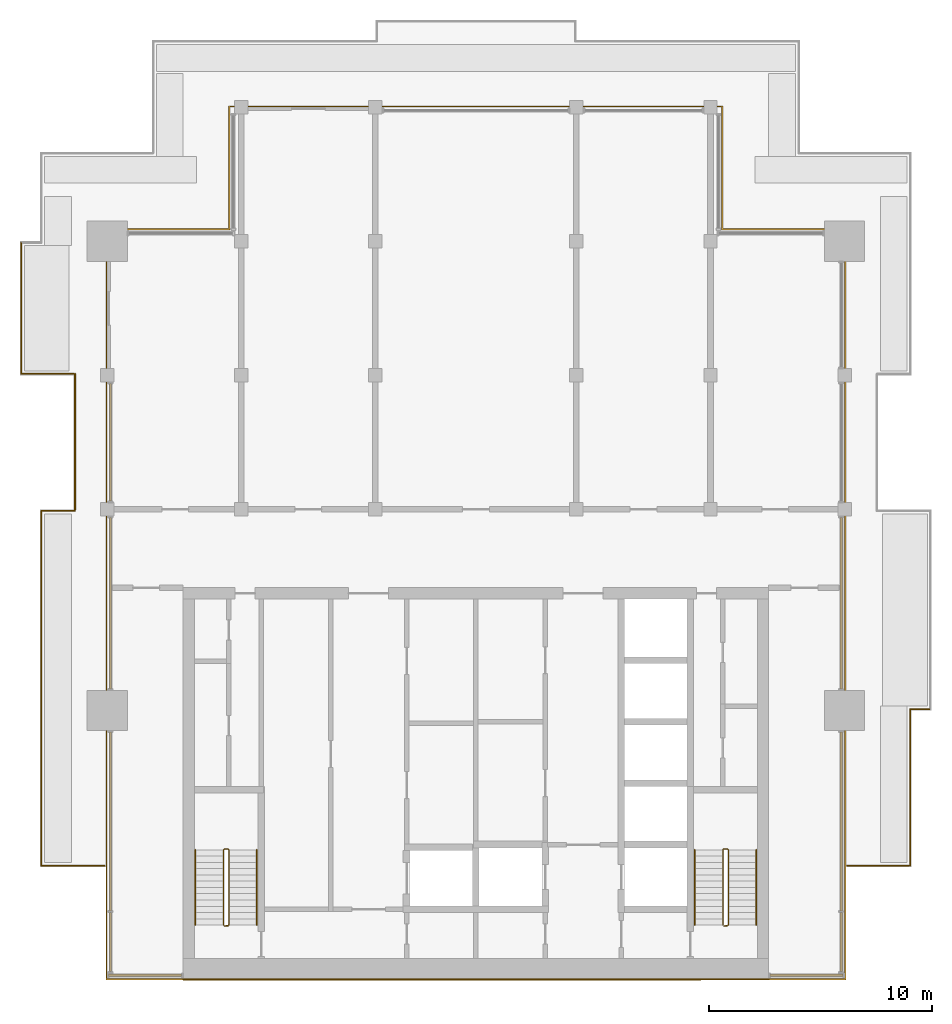
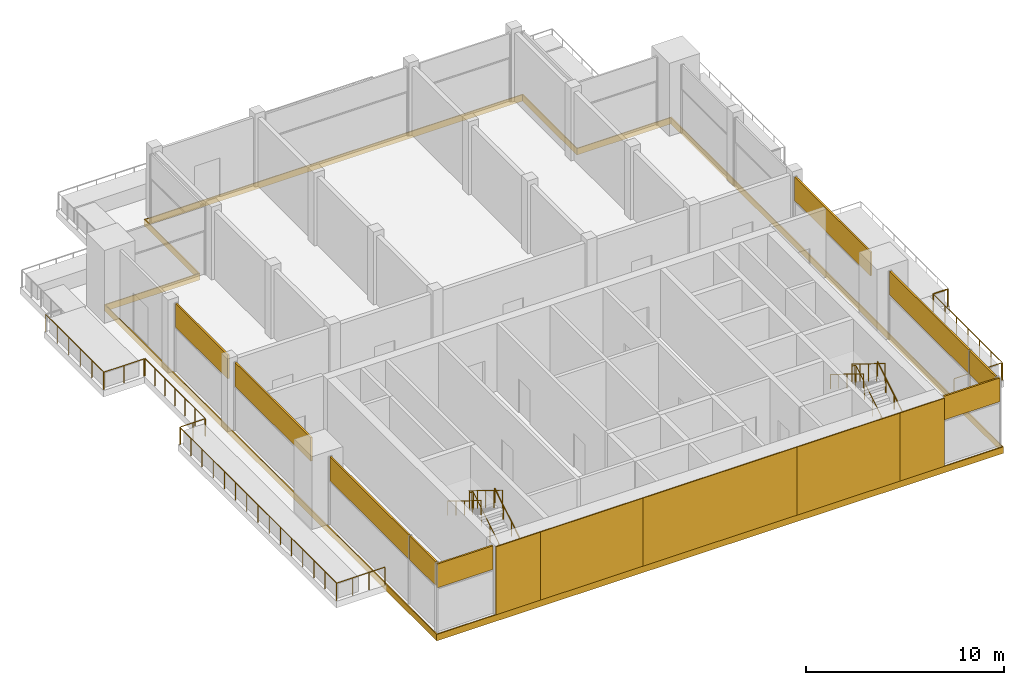
# One storey, part 8 of 9: 15 railings, 9 shading devices, 6 coverings, 7 elements without a shape of their own.
"""IFC4 building model written with IfcOpenShell, lengths in metres."""

import ifcopenshell
import ifcopenshell.guid

model = None  # the IFC model being written
_history = None  # IfcOwnerHistory: only IFC2X3 demands one
_inside = {}  # id of a spatial element -> (the spatial element, [elements in it])
_under = {}  # id of a project, library or spatial element -> (it, [spatial elements below it])
_declared = {}  # id of a project -> (the project, [libraries it declares])
_typed = {}  # id of a type object -> (the type object, [elements of that type])
_made_of = {}  # id of a material, layer set ... -> (it, [elements and type objects made of it])


def new_model(schema):
    """Start an empty IFC model of exactly this schema.

    Asked for "IFC4X3", IfcOpenShell would pick the latest addendum, in which some entities
    have other attributes; the version numbers below select the first issue.
    IFC2X3 requires an IfcOwnerHistory on every rooted entity: one is made here for all.
    """
    global model, _history
    if schema == "IFC4X3":
        model = ifcopenshell.file(schema_version=(4, 3, 0, 0))
    else:
        model = ifcopenshell.file(schema=schema)
    _inside.clear()
    _under.clear()
    _declared.clear()
    _typed.clear()
    _made_of.clear()
    _history = None
    if model.schema == "IFC2X3":
        org = make("IfcOrganization", Name="unknown")
        user = make(
            "IfcPersonAndOrganization",
            ThePerson=make("IfcPerson", FamilyName="unknown"),
            TheOrganization=org,
        )
        app = make(
            "IfcApplication",
            ApplicationDeveloper=org,
            Version="unknown",
            ApplicationFullName="unknown",
            ApplicationIdentifier="unknown",
        )
        _history = make(
            "IfcOwnerHistory",
            OwningUser=user,
            OwningApplication=app,
            ChangeAction="ADDED",
            CreationDate=0,
        )
    return model


def make(cls, **values):
    """One entity of the class cls with the attributes given. An attribute that is None is left unset."""
    return model.create_entity(
        cls, **{name: value for name, value in values.items() if value is not None}
    )


def rooted(cls, **values):
    """An entity with a GlobalId (a new one), such as an element, a storey or a relation."""
    return make(cls, GlobalId=ifcopenshell.guid.new(), OwnerHistory=_history, **values)


def si_unit(unit_type, name, prefix=None):
    """IfcSIUnit, for example si_unit("LENGTHUNIT", "METRE", prefix="MILLI")."""
    return make("IfcSIUnit", UnitType=unit_type, Prefix=prefix, Name=name)


def assignment(units):
    """IfcUnitAssignment: the units of a project."""
    return None if units is None else make("IfcUnitAssignment", Units=units)


def point(xyz):
    """IfcCartesianPoint."""
    return None if xyz is None else make("IfcCartesianPoint", Coordinates=xyz)


def direction(xyz):
    """IfcDirection."""
    return None if xyz is None else make("IfcDirection", DirectionRatios=xyz)


def frame(location, z_axis=None, x_axis=None):
    """IfcAxis2Placement3D, a coordinate frame: its origin and axes. An axis left out is left unset."""
    return make(
        "IfcAxis2Placement3D",
        Location=point(location),
        Axis=direction(z_axis),
        RefDirection=direction(x_axis),
    )


def frame_2d(location, x_axis=None):
    """IfcAxis2Placement2D, a coordinate frame in the plane: its origin and x axis."""
    return make(
        "IfcAxis2Placement2D", Location=point(location), RefDirection=direction(x_axis)
    )


def origin():
    """The frame at (0, 0, 0) with its axes left unset."""
    return frame((0.0, 0.0, 0.0))


def origin_2d():
    """The frame at (0, 0) in the plane with its x axis left unset."""
    return frame_2d((0.0, 0.0))


def place(relative_to, where):
    """IfcLocalPlacement: puts the frame where relative to a parent placement (None: the world)."""
    return make(
        "IfcLocalPlacement", PlacementRelTo=relative_to, RelativePlacement=where
    )


def context(
    kind, dimensions, precision=None, world=None, true_north=None, identifier=None
):
    """IfcGeometricRepresentationContext, for example the 3D "Model" context."""
    return make(
        "IfcGeometricRepresentationContext",
        ContextIdentifier=identifier,
        ContextType=kind,
        CoordinateSpaceDimension=dimensions,
        Precision=precision,
        WorldCoordinateSystem=world,
        TrueNorth=true_north,
    )


def subcontext(parent, identifier, kind, view, scale=None):
    """IfcGeometricRepresentationSubContext, for example "Body" below "Model"."""
    return make(
        "IfcGeometricRepresentationSubContext",
        ContextIdentifier=identifier,
        ContextType=kind,
        ParentContext=parent,
        TargetScale=scale,
        TargetView=view,
    )


def project(units=None, contexts=None):
    """IfcProject with its units and contexts."""
    return rooted(
        "IfcProject",
        Name="project",
        RepresentationContexts=contexts,
        UnitsInContext=assignment(units),
    )


def spatial(cls, under=None, at=None, **own):
    """A site, building, storey or space (cls), placed at a placement, below another one or the project."""
    s = rooted(cls, ObjectPlacement=at, **own)
    if under is not None:
        _under.setdefault(under.id(), (under, []))[1].append(s)
    return s


def polyline(points):
    """IfcPolyline through the points."""
    return make("IfcPolyline", Points=[point(p) for p in points])


def profile(cls, at=None, kind="AREA", **sizes):
    """A parametric profile (cls). Its sizes go by their IFC names, for example OverallWidth=200.0."""
    return make(cls, ProfileType=kind, Position=at, **sizes)


def rectangle(**sizes):
    """IfcRectangleProfileDef."""
    return profile("IfcRectangleProfileDef", **sizes)


def circle(**sizes):
    """IfcCircleProfileDef."""
    return profile("IfcCircleProfileDef", **sizes)


def outline(outer, holes=None, kind="AREA"):
    """IfcArbitraryClosedProfileDef: a profile drawn as a closed curve; with holes, ...WithVoids."""
    if holes is None:
        return make("IfcArbitraryClosedProfileDef", ProfileType=kind, OuterCurve=outer)
    return make(
        "IfcArbitraryProfileDefWithVoids",
        ProfileType=kind,
        OuterCurve=outer,
        InnerCurves=holes,
    )


def extrude(swept, where, along, depth):
    """IfcExtrudedAreaSolid: the profile swept, set in the frame where, extruded along a direction by depth."""
    return make(
        "IfcExtrudedAreaSolid",
        SweptArea=swept,
        Position=where,
        ExtrudedDirection=direction(along),
        Depth=depth,
    )


def shape(context_of_items, identifier, shape_type, items):
    """IfcShapeRepresentation: the items that make up one representation, for example the "Body"."""
    return make(
        "IfcShapeRepresentation",
        ContextOfItems=context_of_items,
        RepresentationIdentifier=identifier,
        RepresentationType=shape_type,
        Items=items,
    )


def material(Name=None, Category=None):
    """IfcMaterial."""
    return make("IfcMaterial", Name=Name, Category=Category)


def layer(
    of_material, thickness, ventilated=None, Name=None, Category=None, Priority=None
):
    """IfcMaterialLayer: one layer of a wall or slab, of a material (None: an air gap)."""
    return make(
        "IfcMaterialLayer",
        Material=of_material,
        LayerThickness=thickness,
        IsVentilated=ventilated,
        Name=Name,
        Category=Category,
        Priority=Priority,
    )


def layer_set(layers, Name=None):
    """IfcMaterialLayerSet."""
    return make("IfcMaterialLayerSet", MaterialLayers=layers, LayerSetName=Name)


def made_of(thing, what):
    """Note that an element or type object is made of a material, layer set ...; save() writes the relation."""
    if what is not None:
        _made_of.setdefault(what.id(), (what, []))[1].append(thing)
    return thing


def type_object(cls, material=None, **own):
    """A type object (cls), such as IfcWallType, which elements share."""
    return made_of(rooted(cls, **own), material)


def element(
    cls,
    number,
    at=None,
    inside=None,
    cuts=None,
    type_object=None,
    material=None,
    context=None,
    identifier="Body",
    shape_type=None,
    held_by="IfcProductDefinitionShape",
    body=None,
    shapes=None,
    **own,
):
    """One element of the class cls, such as IfcWall. Its Tag is "e" and its number.

    at: its placement. inside: the storey or other place that contains it. cuts: it is an
    opening in that element (IfcRelVoidsElement). A single representation is given by context,
    identifier, shape_type and body (its items); several are given by shapes. held_by: the class
    of the entity that holds the representations. save() writes the other relations.
    """
    e = rooted(cls, Tag="e%d" % number, ObjectPlacement=at, **own)
    if body is not None:
        shapes = [shape(context, identifier, shape_type, body)]
    if shapes is not None:
        e.Representation = make(held_by, Representations=shapes)
    if inside is not None:
        _inside.setdefault(inside.id(), (inside, []))[1].append(e)
    if cuts is not None:
        rooted(
            "IfcRelVoidsElement", RelatingBuildingElement=cuts, RelatedOpeningElement=e
        )
    if type_object is not None:
        _typed.setdefault(type_object.id(), (type_object, []))[1].append(e)
    return made_of(e, material)


def aggregate(whole, parts):
    """IfcRelAggregates: a whole, such as a stair, and the parts it consists of."""
    return rooted("IfcRelAggregates", RelatingObject=whole, RelatedObjects=parts)


def save(model, path):
    """Write the relations noted so far, then the file.

    IfcRelAggregates (storeys below a building ...), IfcRelContainedInSpatialStructure (elements
    in a storey), IfcRelDefinesByType, IfcRelAssociatesMaterial and IfcRelDeclares: one each for
    every whole, place, type object, material and project.
    """
    for whole, parts in _under.values():
        aggregate(whole, parts)
    for where, things in _inside.values():
        rooted(
            "IfcRelContainedInSpatialStructure",
            RelatedElements=things,
            RelatingStructure=where,
        )
    for kind, things in _typed.values():
        rooted("IfcRelDefinesByType", RelatedObjects=things, RelatingType=kind)
    for what, things in _made_of.values():
        rooted("IfcRelAssociatesMaterial", RelatedObjects=things, RelatingMaterial=what)
    for by, libraries in _declared.values():
        rooted("IfcRelDeclares", RelatingContext=by, RelatedDefinitions=libraries)
    model.write(path)


model = new_model("IFC4")

# Units and contexts
model_context = context("Model", 3, precision=1e-05, world=origin(), true_north=direction((0.0, 1.0)))
body_context = subcontext(model_context, "Body", "Model", "MODEL_VIEW")
ifc_project = project(units=[si_unit("LENGTHUNIT", "METRE"), si_unit("AREAUNIT", "SQUARE_METRE"), si_unit("VOLUMEUNIT", "CUBIC_METRE"), si_unit("PLANEANGLEUNIT", "RADIAN"), si_unit("MASSUNIT", "GRAM", prefix="KILO")], contexts=[model_context])

# Site, building, storey
site_placement = place(None, origin())
site = spatial("IfcSite", under=ifc_project, at=site_placement, CompositionType="ELEMENT")
building_placement = place(site_placement, origin())
building = spatial("IfcBuilding", under=site, at=building_placement, Name="Finial Court Residences", CompositionType="ELEMENT")
storey_placement = place(building_placement, frame((0.0, 0.0, 298.699951171875)))
storey = spatial("IfcBuildingStorey", under=building, at=storey_placement, Name="L76", CompositionType="ELEMENT", Elevation=298.699951171875)

# Curtain wall, shading devices
ifc_material_1 = material(Name="Bronze anodised aluminium", Category="aluminium")
curtain_wall_type = type_object("IfcCurtainWallType", Name="Crown lantern glazing", PredefinedType="NOTDEFINED", material=ifc_material_1)
curtain_wall_1_placement = place(storey_placement, origin())
curtain_wall_1 = element("IfcCurtainWall", 1, at=curtain_wall_1_placement, inside=storey, type_object=curtain_wall_type, Name="E-L76-CW-E2c1", PredefinedType="NOTDEFINED")
ifc_layer_1 = layer(ifc_material_1, 0.10009765625)
ifc_layer_set_1 = layer_set([ifc_layer_1], Name="CW6 louvre panel 100")
shading_device_type = type_object("IfcShadingDeviceType", Name="CW6 louvre panel 100", PredefinedType="USERDEFINED", material=ifc_layer_set_1)
shading_device_1_placement = place(storey_placement, frame((16.35009765625, -23.857421875, 2.73486328125), z_axis=(0.0, 0.0, 1.0), x_axis=(0.0, 1.0, 0.0)))
shading_device_1 = element("IfcShadingDevice", 2, at=shading_device_1_placement, type_object=shading_device_type, Name="CW6 louvre 1.2", ObjectType="LOUVRE", PredefinedType="USERDEFINED", context=body_context, shape_type="SweptSolid", body=[
    extrude(rectangle(XDim=2.64501953125, YDim=0.10009765625, at=origin_2d()), origin(), (0.0, 0.0, 1.0), 1.465087890625),
])
shading_device_2_placement = place(storey_placement, frame((16.35009765625, -18.467529296875, 2.73486328125), z_axis=(0.0, 0.0, 1.0), x_axis=(0.0, 1.0, 0.0)))
shading_device_2 = element("IfcShadingDevice", 3, at=shading_device_2_placement, type_object=shading_device_type, Name="CW6 louvre 2.2", ObjectType="LOUVRE", PredefinedType="USERDEFINED", context=body_context, shape_type="SweptSolid", body=[
    extrude(rectangle(XDim=7.9951171875, YDim=0.10009765625, at=origin_2d()), origin(), (0.0, 0.0, 1.0), 1.465087890625),
])
aggregate(curtain_wall_1, [shading_device_1, shading_device_2])

# Curtain wall, shading device
curtain_wall_2_placement = place(storey_placement, origin())
curtain_wall_2 = element("IfcCurtainWall", 4, at=curtain_wall_2_placement, inside=storey, type_object=curtain_wall_type, Name="E-L76-CW-E2c2", PredefinedType="NOTDEFINED")
shading_device_3_placement = place(storey_placement, frame((16.35009765625, -8.699951171875, 2.73486328125), z_axis=(0.0, 0.0, 1.0), x_axis=(0.0, 1.0, 0.0)))
shading_device_3 = element("IfcShadingDevice", 5, at=shading_device_3_placement, type_object=shading_device_type, Name="CW6 louvre 1.2", ObjectType="LOUVRE", PredefinedType="USERDEFINED", context=body_context, shape_type="SweptSolid", body=[
    extrude(rectangle(XDim=7.659912109375, YDim=0.10009765625, at=origin_2d()), origin(), (0.0, 0.0, 1.0), 1.465087890625),
])
aggregate(curtain_wall_2, [shading_device_3])

curtain_wall_3_placement = place(storey_placement, origin())
curtain_wall_3 = element("IfcCurtainWall", 6, at=curtain_wall_3_placement, inside=storey, type_object=curtain_wall_type, Name="E-L76-CW-S3", PredefinedType="NOTDEFINED")
shading_device_4_placement = place(storey_placement, frame((-14.800048828125, -25.35009765625, 2.73486328125), z_axis=(0.0, 0.0, 1.0), x_axis=(1.0, 0.0, 0.0)))
shading_device_4 = element("IfcShadingDevice", 7, at=shading_device_4_placement, type_object=shading_device_type, Name="CW6 louvre 1.2", ObjectType="LOUVRE", PredefinedType="USERDEFINED", context=body_context, shape_type="SweptSolid", body=[
    extrude(rectangle(XDim=3.260009765625, YDim=0.10009765625, at=origin_2d()), origin(), (0.0, 0.0, 1.0), 1.465087890625),
])
aggregate(curtain_wall_3, [shading_device_4])

curtain_wall_4_placement = place(storey_placement, origin())
curtain_wall_4 = element("IfcCurtainWall", 8, at=curtain_wall_4_placement, inside=storey, type_object=curtain_wall_type, Name="E-L76-CW-S4", PredefinedType="NOTDEFINED")
shading_device_5_placement = place(storey_placement, frame((14.800048828125, -25.35009765625, 2.73486328125), z_axis=(0.0, 0.0, 1.0), x_axis=(1.0, 0.0, 0.0)))
shading_device_5 = element("IfcShadingDevice", 9, at=shading_device_5_placement, type_object=shading_device_type, Name="CW6 louvre 1.2", ObjectType="LOUVRE", PredefinedType="USERDEFINED", context=body_context, shape_type="SweptSolid", body=[
    extrude(rectangle(XDim=3.260009765625, YDim=0.10009765625, at=origin_2d()), origin(), (0.0, 0.0, 1.0), 1.465087890625),
])
aggregate(curtain_wall_4, [shading_device_5])

# Curtain wall, shading devices
curtain_wall_5_placement = place(storey_placement, origin())
curtain_wall_5 = element("IfcCurtainWall", 10, at=curtain_wall_5_placement, inside=storey, type_object=curtain_wall_type, Name="E-L76-CW-W5c1", PredefinedType="NOTDEFINED")
shading_device_6_placement = place(storey_placement, frame((-16.35009765625, -23.857421875, 2.73486328125), z_axis=(0.0, 0.0, 1.0), x_axis=(0.0, 1.0, 0.0)))
shading_device_6 = element("IfcShadingDevice", 11, at=shading_device_6_placement, type_object=shading_device_type, Name="CW6 louvre 1.2", ObjectType="LOUVRE", PredefinedType="USERDEFINED", context=body_context, shape_type="SweptSolid", body=[
    extrude(rectangle(XDim=2.64501953125, YDim=0.10009765625, at=origin_2d()), origin(), (0.0, 0.0, 1.0), 1.465087890625),
])
shading_device_7_placement = place(storey_placement, frame((-16.35009765625, -18.467529296875, 2.73486328125), z_axis=(0.0, 0.0, 1.0), x_axis=(0.0, 1.0, 0.0)))
shading_device_7 = element("IfcShadingDevice", 12, at=shading_device_7_placement, type_object=shading_device_type, Name="CW6 louvre 2.2", ObjectType="LOUVRE", PredefinedType="USERDEFINED", context=body_context, shape_type="SweptSolid", body=[
    extrude(rectangle(XDim=7.9951171875, YDim=0.10009765625, at=origin_2d()), origin(), (0.0, 0.0, 1.0), 1.465087890625),
])
aggregate(curtain_wall_5, [shading_device_6, shading_device_7])

# Curtain wall, shading device
curtain_wall_6_placement = place(storey_placement, origin())
curtain_wall_6 = element("IfcCurtainWall", 13, at=curtain_wall_6_placement, inside=storey, type_object=curtain_wall_type, Name="E-L76-CW-W5c2", PredefinedType="NOTDEFINED")
shading_device_8_placement = place(storey_placement, frame((-16.35009765625, -8.699951171875, 2.73486328125), z_axis=(0.0, 0.0, 1.0), x_axis=(0.0, 1.0, 0.0)))
shading_device_8 = element("IfcShadingDevice", 14, at=shading_device_8_placement, type_object=shading_device_type, Name="CW6 louvre 1.2", ObjectType="LOUVRE", PredefinedType="USERDEFINED", context=body_context, shape_type="SweptSolid", body=[
    extrude(rectangle(XDim=7.659912109375, YDim=0.10009765625, at=origin_2d()), origin(), (0.0, 0.0, 1.0), 1.465087890625),
])
aggregate(curtain_wall_6, [shading_device_8])

curtain_wall_7_placement = place(storey_placement, origin())
curtain_wall_7 = element("IfcCurtainWall", 15, at=curtain_wall_7_placement, inside=storey, type_object=curtain_wall_type, Name="E-L76-CW-W5c3", PredefinedType="NOTDEFINED")
shading_device_9_placement = place(storey_placement, frame((-16.35009765625, -1.5, 2.73486328125), z_axis=(0.0, 0.0, 1.0), x_axis=(0.0, 1.0, 0.0)))
shading_device_9 = element("IfcShadingDevice", 16, at=shading_device_9_placement, type_object=shading_device_type, Name="CW6 louvre 1.2", ObjectType="LOUVRE", PredefinedType="USERDEFINED", context=body_context, shape_type="SweptSolid", body=[
    extrude(rectangle(XDim=5.260009765625, YDim=0.10009765625, at=origin_2d()), origin(), (0.0, 0.0, 1.0), 1.465087890625),
])
aggregate(curtain_wall_7, [shading_device_9])

# Coverings
ifc_material_2 = material(Name="Natural limestone", Category="masonry")
ifc_layer_2 = layer(ifc_material_2, 0.06005859375)
ifc_layer_set_2 = layer_set([ifc_layer_2], Name="Limestone cladding to the blind core face 60")
covering_type_1 = type_object("IfcCoveringType", Name="Limestone cladding to the blind core face 60", PredefinedType="CLADDING", material=ifc_layer_set_2)
covering_1_placement = place(storey_placement, origin())
element("IfcCovering", 17, at=covering_1_placement, inside=storey, type_object=covering_type_1, Name="E-L76-CLAD1", PredefinedType="CLADDING", context=body_context, shape_type="SweptSolid", body=[
    extrude(outline(polyline([(-10.5, -25.56005859375), (-10.5, -25.5), (-13.10009765625, -25.5), (-13.10009765625, -25.56005859375), (-10.5, -25.56005859375)])), origin(), (0.0, 0.0, 1.0), 4.199951171875),
])
covering_2_placement = place(storey_placement, origin())
element("IfcCovering", 18, at=covering_2_placement, inside=storey, type_object=covering_type_1, Name="E-L76-CLAD2", PredefinedType="CLADDING", context=body_context, shape_type="SweptSolid", body=[
    extrude(outline(polyline([(-4.5, -25.56005859375), (-4.5, -25.5), (-10.5, -25.5), (-10.5, -25.56005859375), (-4.5, -25.56005859375)])), origin(), (0.0, 0.0, 1.0), 4.199951171875),
])
covering_3_placement = place(storey_placement, origin())
element("IfcCovering", 19, at=covering_3_placement, inside=storey, type_object=covering_type_1, Name="E-L76-CLAD3", PredefinedType="CLADDING", context=body_context, shape_type="SweptSolid", body=[
    extrude(outline(polyline([(4.5, -25.56005859375), (4.5, -25.5), (-4.5, -25.5), (-4.5, -25.56005859375), (4.5, -25.56005859375)])), origin(), (0.0, 0.0, 1.0), 4.199951171875),
])
covering_4_placement = place(storey_placement, origin())
element("IfcCovering", 20, at=covering_4_placement, inside=storey, type_object=covering_type_1, Name="E-L76-CLAD4", PredefinedType="CLADDING", context=body_context, shape_type="SweptSolid", body=[
    extrude(outline(polyline([(10.5, -25.56005859375), (10.5, -25.5), (4.5, -25.5), (4.5, -25.56005859375), (10.5, -25.56005859375)])), origin(), (0.0, 0.0, 1.0), 4.199951171875),
])
covering_5_placement = place(storey_placement, origin())
element("IfcCovering", 21, at=covering_5_placement, inside=storey, type_object=covering_type_1, Name="E-L76-CLAD5", PredefinedType="CLADDING", context=body_context, shape_type="SweptSolid", body=[
    extrude(outline(polyline([(13.10009765625, -25.56005859375), (13.10009765625, -25.5), (10.5, -25.5), (10.5, -25.56005859375), (13.10009765625, -25.56005859375)])), origin(), (0.0, 0.0, 1.0), 4.199951171875),
])
ifc_material_3 = material(Name="Pale limestone", Category="masonry")
ifc_layer_3 = layer(ifc_material_3, 0.06005859375)
ifc_layer_set_3 = layer_set([ifc_layer_3], Name="Pale limestone slab-edge band 60")
covering_type_2 = type_object("IfcCoveringType", Name="Pale limestone slab-edge band 60", PredefinedType="CLADDING", material=ifc_layer_set_3)
covering_6_placement = place(storey_placement, frame((0.0, 0.0, -0.39990234375)))
element("IfcCovering", 22, at=covering_6_placement, inside=storey, type_object=covering_type_2, Name="E-L76-BAND1", PredefinedType="CLADDING", context=body_context, shape_type="SweptSolid", body=[
    extrude(outline(polyline([(-16.56005859375, -25.56005859375), (-16.56005859375, 8.06005859375), (-11.06005859375, 8.06005859375), (-11.06005859375, 13.56005859375), (11.06005859375, 13.56005859375), (11.06005859375, 8.06005859375), (16.56005859375, 8.06005859375), (16.56005859375, -25.56005859375), (-16.56005859375, -25.56005859375)]), holes=[polyline([(16.5, 8.0), (11.0, 8.0), (11.0, 13.5), (-11.0, 13.5), (-11.0, 8.0), (-16.5, 8.0), (-16.5, -25.5), (16.5, -25.5), (16.5, 8.0)])]), origin(), (0.0, 0.0, 1.0), 0.39990234375),
])

# Railings
ifc_material_4 = material(Name="Stainless steel railing", Category="steel")
railing_type_1 = type_object("IfcRailingType", Name="Stair guard 1100", PredefinedType="GUARDRAIL", material=ifc_material_4)
railing_1_placement = place(storey_placement, frame((-11.10009765625, -23.14990234375, 0.0)))
element("IfcRailing", 23, at=railing_1_placement, inside=storey, type_object=railing_type_1, Name="L76 ST-1 stair guard 1", PredefinedType="GUARDRAIL", context=body_context, shape_type="SweptSolid", body=[
    extrude(circle(Radius=0.02392578125, at=origin_2d()), frame((0.0, 0.0, 1.076171875), z_axis=(-1.0, 0.0, 0.0), x_axis=(0.0, -1.0, 0.0)), (0.0, 0.0, 1.0), 0.14990234375),
    extrude(circle(Radius=0.02392578125, at=origin_2d()), frame((-0.14990234375, 0.0, 1.076171875), z_axis=(0.742994154839, 0.185068141132, 0.643202510111), x_axis=(-0.241699205484, 0.970351222016, 0.0)), (0.0, 0.0, 1.0), 0.26904296875),
    extrude(circle(Radius=0.02392578125, at=origin_2d()), frame((0.050048828125, 0.0498046875, 1.2490234375), z_axis=(0.0, 0.850623216509, 0.525775754039), x_axis=(-1.0, 0.0, 0.0)), (0.0, 0.0, 1.0), 3.9501953125),
    extrude(circle(Radius=0.02392578125, at=origin_2d()), frame((0.050048828125, 3.409912109375, 3.326171875), z_axis=(-0.707106781187, 0.707106781187, 0.0), x_axis=(-0.707106781187, -0.707106781187, 0.0)), (0.0, 0.0, 1.0), 0.07080078125),
    extrude(circle(Radius=0.02392578125, at=origin_2d()), frame((0.0, 3.4599609375, 3.326171875), z_axis=(-1.0, 0.0, 0.0), x_axis=(0.0, -1.0, 0.0)), (0.0, 0.0, 1.0), 0.14990234375),
    extrude(circle(Radius=0.02392578125, at=origin_2d()), frame((-0.14990234375, 3.4599609375, 3.326171875), z_axis=(-0.267629722418, -0.267629722418, 0.925607186314), x_axis=(0.707106781187, -0.707106781187, 0.0)), (0.0, 0.0, 1.0), 0.18701171875),
    extrude(circle(Radius=0.02392578125, at=origin_2d()), frame((-0.199951171875, 3.409912109375, 3.4990234375), z_axis=(0.0, -0.850623216509, 0.525775754039), x_axis=(1.0, 0.0, 0.0)), (0.0, 0.0, 1.0), 3.9501953125),
    extrude(circle(Radius=0.02099609375, at=origin_2d()), origin(), (0.0, 0.0, 1.0), 1.052001953125),
    extrude(circle(Radius=0.02099609375, at=origin_2d()), frame((-0.14990234375, 0.0, 0.0)), (0.0, 0.0, 1.0), 1.052001953125),
    extrude(circle(Radius=0.02099609375, at=origin_2d()), frame((0.050048828125, 0.0498046875, 0.173095703125)), (0.0, 0.0, 1.0), 1.052001953125),
    extrude(circle(Radius=0.02099609375, at=origin_2d()), frame((0.050048828125, 0.889892578125, 0.6923828125)), (0.0, 0.0, 1.0), 1.052001953125),
    extrude(circle(Radius=0.02099609375, at=origin_2d()), frame((0.050048828125, 1.72998046875, 1.21142578125)), (0.0, 0.0, 1.0), 1.052001953125),
    extrude(circle(Radius=0.02099609375, at=origin_2d()), frame((0.050048828125, 2.56982421875, 1.730712890625)), (0.0, 0.0, 1.0), 1.052001953125),
    extrude(circle(Radius=0.02099609375, at=origin_2d()), frame((0.050048828125, 3.409912109375, 2.25)), (0.0, 0.0, 1.0), 1.052001953125),
    extrude(circle(Radius=0.02099609375, at=origin_2d()), frame((0.0, 3.4599609375, 2.25)), (0.0, 0.0, 1.0), 1.052001953125),
    extrude(circle(Radius=0.02099609375, at=origin_2d()), frame((-0.14990234375, 3.4599609375, 2.25)), (0.0, 0.0, 1.0), 1.052001953125),
    extrude(circle(Radius=0.02099609375, at=origin_2d()), frame((-0.199951171875, 3.409912109375, 2.423095703125)), (0.0, 0.0, 1.0), 1.052001953125),
    extrude(circle(Radius=0.02099609375, at=origin_2d()), frame((-0.199951171875, 2.56982421875, 2.9423828125)), (0.0, 0.0, 1.0), 1.052001953125),
    extrude(circle(Radius=0.02099609375, at=origin_2d()), frame((-0.199951171875, 1.72998046875, 3.46142578125)), (0.0, 0.0, 1.0), 1.052001953125),
    extrude(circle(Radius=0.02099609375, at=origin_2d()), frame((-0.199951171875, 0.889892578125, 3.980712890625)), (0.0, 0.0, 1.0), 1.052001953125),
    extrude(circle(Radius=0.02099609375, at=origin_2d()), frame((-0.199951171875, 0.0498046875, 4.5)), (0.0, 0.0, 1.0), 1.052001953125),
])
railing_2_placement = place(storey_placement, frame((11.25, -23.14990234375, 0.0)))
element("IfcRailing", 24, at=railing_2_placement, inside=storey, type_object=railing_type_1, Name="L76 ST-2 stair guard 1", PredefinedType="GUARDRAIL", context=body_context, shape_type="SweptSolid", body=[
    extrude(circle(Radius=0.02392578125, at=origin_2d()), frame((0.0, 0.0, 1.076171875), z_axis=(-1.0, 0.0, 0.0), x_axis=(0.0, -1.0, 0.0)), (0.0, 0.0, 1.0), 0.14990234375),
    extrude(circle(Radius=0.02392578125, at=origin_2d()), frame((-0.14990234375, 0.0, 1.076171875), z_axis=(0.742994154839, 0.185068141132, 0.643202510111), x_axis=(-0.241699205484, 0.970351222016, 0.0)), (0.0, 0.0, 1.0), 0.26904296875),
    extrude(circle(Radius=0.02392578125, at=origin_2d()), frame((0.050048828125, 0.0498046875, 1.2490234375), z_axis=(0.0, 0.850623216509, 0.525775754039), x_axis=(-1.0, 0.0, 0.0)), (0.0, 0.0, 1.0), 3.9501953125),
    extrude(circle(Radius=0.02392578125, at=origin_2d()), frame((0.050048828125, 3.409912109375, 3.326171875), z_axis=(-0.707106781187, 0.707106781187, 0.0), x_axis=(-0.707106781187, -0.707106781187, 0.0)), (0.0, 0.0, 1.0), 0.07080078125),
    extrude(circle(Radius=0.02392578125, at=origin_2d()), frame((0.0, 3.4599609375, 3.326171875), z_axis=(-1.0, 0.0, 0.0), x_axis=(0.0, -1.0, 0.0)), (0.0, 0.0, 1.0), 0.14990234375),
    extrude(circle(Radius=0.02392578125, at=origin_2d()), frame((-0.14990234375, 3.4599609375, 3.326171875), z_axis=(-0.267629722418, -0.267629722418, 0.925607186314), x_axis=(0.707106781187, -0.707106781187, 0.0)), (0.0, 0.0, 1.0), 0.18701171875),
    extrude(circle(Radius=0.02392578125, at=origin_2d()), frame((-0.199951171875, 3.409912109375, 3.4990234375), z_axis=(0.0, -0.850623216509, 0.525775754039), x_axis=(1.0, 0.0, 0.0)), (0.0, 0.0, 1.0), 3.9501953125),
    extrude(circle(Radius=0.02099609375, at=origin_2d()), origin(), (0.0, 0.0, 1.0), 1.052001953125),
    extrude(circle(Radius=0.02099609375, at=origin_2d()), frame((-0.14990234375, 0.0, 0.0)), (0.0, 0.0, 1.0), 1.052001953125),
    extrude(circle(Radius=0.02099609375, at=origin_2d()), frame((0.050048828125, 0.0498046875, 0.173095703125)), (0.0, 0.0, 1.0), 1.052001953125),
    extrude(circle(Radius=0.02099609375, at=origin_2d()), frame((0.050048828125, 0.889892578125, 0.6923828125)), (0.0, 0.0, 1.0), 1.052001953125),
    extrude(circle(Radius=0.02099609375, at=origin_2d()), frame((0.050048828125, 1.72998046875, 1.21142578125)), (0.0, 0.0, 1.0), 1.052001953125),
    extrude(circle(Radius=0.02099609375, at=origin_2d()), frame((0.050048828125, 2.56982421875, 1.730712890625)), (0.0, 0.0, 1.0), 1.052001953125),
    extrude(circle(Radius=0.02099609375, at=origin_2d()), frame((0.050048828125, 3.409912109375, 2.25)), (0.0, 0.0, 1.0), 1.052001953125),
    extrude(circle(Radius=0.02099609375, at=origin_2d()), frame((0.0, 3.4599609375, 2.25)), (0.0, 0.0, 1.0), 1.052001953125),
    extrude(circle(Radius=0.02099609375, at=origin_2d()), frame((-0.14990234375, 3.4599609375, 2.25)), (0.0, 0.0, 1.0), 1.052001953125),
    extrude(circle(Radius=0.02099609375, at=origin_2d()), frame((-0.199951171875, 3.409912109375, 2.423095703125)), (0.0, 0.0, 1.0), 1.052001953125),
    extrude(circle(Radius=0.02099609375, at=origin_2d()), frame((-0.199951171875, 2.56982421875, 2.9423828125)), (0.0, 0.0, 1.0), 1.052001953125),
    extrude(circle(Radius=0.02099609375, at=origin_2d()), frame((-0.199951171875, 1.72998046875, 3.46142578125)), (0.0, 0.0, 1.0), 1.052001953125),
    extrude(circle(Radius=0.02099609375, at=origin_2d()), frame((-0.199951171875, 0.889892578125, 3.980712890625)), (0.0, 0.0, 1.0), 1.052001953125),
    extrude(circle(Radius=0.02099609375, at=origin_2d()), frame((-0.199951171875, 0.0498046875, 4.5)), (0.0, 0.0, 1.0), 1.052001953125),
])
railing_type_2 = type_object("IfcRailingType", Name="Stair handrail 900", PredefinedType="HANDRAIL", material=ifc_material_4)
railing_3_placement = place(storey_placement, frame((-9.800048828125, -23.10009765625, 0.173095703125)))
element("IfcRailing", 25, at=railing_3_placement, inside=storey, type_object=railing_type_2, Name="L76 ST-1 stair handrail 1", PredefinedType="HANDRAIL", context=body_context, shape_type="SweptSolid", body=[
    extrude(circle(Radius=0.02392578125, at=origin_2d()), frame((0.0, 0.0, 0.8759765625), z_axis=(0.0, 0.850623216509, 0.525775754039), x_axis=(-1.0, 0.0, 0.0)), (0.0, 0.0, 1.0), 3.9501953125),
    extrude(circle(Radius=0.02099609375, at=origin_2d()), origin(), (0.0, 0.0, 1.0), 0.851806640625),
    extrude(circle(Radius=0.02099609375, at=origin_2d()), frame((0.0, 0.840087890625, 0.519287109375)), (0.0, 0.0, 1.0), 0.851806640625),
    extrude(circle(Radius=0.02099609375, at=origin_2d()), frame((0.0, 1.68017578125, 1.03857421875)), (0.0, 0.0, 1.0), 0.851806640625),
    extrude(circle(Radius=0.02099609375, at=origin_2d()), frame((0.0, 2.52001953125, 1.5576171875)), (0.0, 0.0, 1.0), 0.851806640625),
    extrude(circle(Radius=0.02099609375, at=origin_2d()), frame((0.0, 3.360107421875, 2.076904296875)), (0.0, 0.0, 1.0), 0.851806640625),
])
railing_4_placement = place(storey_placement, frame((-12.550048828125, -19.739990234375, 2.423095703125)))
element("IfcRailing", 26, at=railing_4_placement, inside=storey, type_object=railing_type_2, Name="L76 ST-1 stair handrail 2", PredefinedType="HANDRAIL", context=body_context, shape_type="SweptSolid", body=[
    extrude(circle(Radius=0.02392578125, at=origin_2d()), frame((0.0, 0.0, 0.8759765625), z_axis=(0.0, -0.850623216509, 0.525775754039), x_axis=(1.0, 0.0, 0.0)), (0.0, 0.0, 1.0), 3.9501953125),
    extrude(circle(Radius=0.02099609375, at=origin_2d()), origin(), (0.0, 0.0, 1.0), 0.851806640625),
    extrude(circle(Radius=0.02099609375, at=origin_2d()), frame((0.0, -0.840087890625, 0.519287109375)), (0.0, 0.0, 1.0), 0.851806640625),
    extrude(circle(Radius=0.02099609375, at=origin_2d()), frame((0.0, -1.68017578125, 1.03857421875)), (0.0, 0.0, 1.0), 0.851806640625),
    extrude(circle(Radius=0.02099609375, at=origin_2d()), frame((0.0, -2.52001953125, 1.5576171875)), (0.0, 0.0, 1.0), 0.851806640625),
    extrude(circle(Radius=0.02099609375, at=origin_2d()), frame((0.0, -3.360107421875, 2.076904296875)), (0.0, 0.0, 1.0), 0.851806640625),
])
railing_5_placement = place(storey_placement, frame((12.550048828125, -23.10009765625, 0.173095703125)))
element("IfcRailing", 27, at=railing_5_placement, inside=storey, type_object=railing_type_2, Name="L76 ST-2 stair handrail 1", PredefinedType="HANDRAIL", context=body_context, shape_type="SweptSolid", body=[
    extrude(circle(Radius=0.02392578125, at=origin_2d()), frame((0.0, 0.0, 0.8759765625), z_axis=(0.0, 0.850623216509, 0.525775754039), x_axis=(-1.0, 0.0, 0.0)), (0.0, 0.0, 1.0), 3.9501953125),
    extrude(circle(Radius=0.02099609375, at=origin_2d()), origin(), (0.0, 0.0, 1.0), 0.851806640625),
    extrude(circle(Radius=0.02099609375, at=origin_2d()), frame((0.0, 0.840087890625, 0.519287109375)), (0.0, 0.0, 1.0), 0.851806640625),
    extrude(circle(Radius=0.02099609375, at=origin_2d()), frame((0.0, 1.68017578125, 1.03857421875)), (0.0, 0.0, 1.0), 0.851806640625),
    extrude(circle(Radius=0.02099609375, at=origin_2d()), frame((0.0, 2.52001953125, 1.5576171875)), (0.0, 0.0, 1.0), 0.851806640625),
    extrude(circle(Radius=0.02099609375, at=origin_2d()), frame((0.0, 3.360107421875, 2.076904296875)), (0.0, 0.0, 1.0), 0.851806640625),
])
railing_6_placement = place(storey_placement, frame((9.800048828125, -19.739990234375, 2.423095703125)))
element("IfcRailing", 28, at=railing_6_placement, inside=storey, type_object=railing_type_2, Name="L76 ST-2 stair handrail 2", PredefinedType="HANDRAIL", context=body_context, shape_type="SweptSolid", body=[
    extrude(circle(Radius=0.02392578125, at=origin_2d()), frame((0.0, 0.0, 0.8759765625), z_axis=(0.0, -0.850623216509, 0.525775754039), x_axis=(1.0, 0.0, 0.0)), (0.0, 0.0, 1.0), 3.9501953125),
    extrude(circle(Radius=0.02099609375, at=origin_2d()), origin(), (0.0, 0.0, 1.0), 0.851806640625),
    extrude(circle(Radius=0.02099609375, at=origin_2d()), frame((0.0, -0.840087890625, 0.519287109375)), (0.0, 0.0, 1.0), 0.851806640625),
    extrude(circle(Radius=0.02099609375, at=origin_2d()), frame((0.0, -1.68017578125, 1.03857421875)), (0.0, 0.0, 1.0), 0.851806640625),
    extrude(circle(Radius=0.02099609375, at=origin_2d()), frame((0.0, -2.52001953125, 1.5576171875)), (0.0, 0.0, 1.0), 0.851806640625),
    extrude(circle(Radius=0.02099609375, at=origin_2d()), frame((0.0, -3.360107421875, 2.076904296875)), (0.0, 0.0, 1.0), 0.851806640625),
])
railing_type_3 = type_object("IfcRailingType", Name="Terrace guard 1100", PredefinedType="GUARDRAIL", material=ifc_material_1)
railing_7_placement = place(storey_placement, frame((-16.6201171875, -20.43994140625, 0.0)))
element("IfcRailing", 29, at=railing_7_placement, inside=storey, type_object=railing_type_3, Name="E-L76-TER1-R1-1", PredefinedType="GUARDRAIL", context=body_context, shape_type="SweptSolid", body=[
    extrude(circle(Radius=0.02392578125, at=origin_2d()), frame((0.0, 0.0, 1.076171875), z_axis=(-1.0, 0.0, 0.0), x_axis=(0.0, -1.0, 0.0)), (0.0, 0.0, 1.0), 2.81982421875),
    extrude(circle(Radius=0.02099609375, at=origin_2d()), origin(), (0.0, 0.0, 1.0), 1.052001953125),
    extrude(circle(Radius=0.02099609375, at=origin_2d()), frame((-0.93994140625, 0.0, 0.0)), (0.0, 0.0, 1.0), 1.052001953125),
    extrude(circle(Radius=0.02099609375, at=origin_2d()), frame((-1.8798828125, 0.0, 0.0)), (0.0, 0.0, 1.0), 1.052001953125),
    extrude(circle(Radius=0.02099609375, at=origin_2d()), frame((-2.81982421875, 0.0, 0.0)), (0.0, 0.0, 1.0), 1.052001953125),
])
railing_8_placement = place(storey_placement, frame((-19.43994140625, -20.389892578125, 0.0)))
element("IfcRailing", 30, at=railing_8_placement, inside=storey, type_object=railing_type_3, Name="E-L76-TER1-R1-2", PredefinedType="GUARDRAIL", context=body_context, shape_type="SweptSolid", body=[
    extrude(circle(Radius=0.02392578125, at=origin_2d()), frame((0.0, 0.0, 1.076171875), z_axis=(0.0, 1.0, 0.0), x_axis=(-1.0, 0.0, 0.0)), (0.0, 0.0, 1.0), 15.829833984375),
    extrude(circle(Radius=0.02099609375, at=origin_2d()), origin(), (0.0, 0.0, 1.0), 1.052001953125),
    extrude(circle(Radius=0.02099609375, at=origin_2d()), frame((0.0, 1.130615234375, 0.0)), (0.0, 0.0, 1.0), 1.052001953125),
    extrude(circle(Radius=0.02099609375, at=origin_2d()), frame((0.0, 2.261474609375, 0.0)), (0.0, 0.0, 1.0), 1.052001953125),
    extrude(circle(Radius=0.02099609375, at=origin_2d()), frame((0.0, 3.39208984375, 0.0)), (0.0, 0.0, 1.0), 1.052001953125),
    extrude(circle(Radius=0.02099609375, at=origin_2d()), frame((0.0, 4.522705078125, 0.0)), (0.0, 0.0, 1.0), 1.052001953125),
    extrude(circle(Radius=0.02099609375, at=origin_2d()), frame((0.0, 5.653564453125, 0.0)), (0.0, 0.0, 1.0), 1.052001953125),
    extrude(circle(Radius=0.02099609375, at=origin_2d()), frame((0.0, 6.7841796875, 0.0)), (0.0, 0.0, 1.0), 1.052001953125),
    extrude(circle(Radius=0.02099609375, at=origin_2d()), frame((0.0, 7.9150390625, 0.0)), (0.0, 0.0, 1.0), 1.052001953125),
    extrude(circle(Radius=0.02099609375, at=origin_2d()), frame((0.0, 9.045654296875, 0.0)), (0.0, 0.0, 1.0), 1.052001953125),
    extrude(circle(Radius=0.02099609375, at=origin_2d()), frame((0.0, 10.17626953125, 0.0)), (0.0, 0.0, 1.0), 1.052001953125),
    extrude(circle(Radius=0.02099609375, at=origin_2d()), frame((0.0, 11.30712890625, 0.0)), (0.0, 0.0, 1.0), 1.052001953125),
    extrude(circle(Radius=0.02099609375, at=origin_2d()), frame((0.0, 12.437744140625, 0.0)), (0.0, 0.0, 1.0), 1.052001953125),
    extrude(circle(Radius=0.02099609375, at=origin_2d()), frame((0.0, 13.568359375, 0.0)), (0.0, 0.0, 1.0), 1.052001953125),
    extrude(circle(Radius=0.02099609375, at=origin_2d()), frame((0.0, 14.69921875, 0.0)), (0.0, 0.0, 1.0), 1.052001953125),
    extrude(circle(Radius=0.02099609375, at=origin_2d()), frame((0.0, 15.829833984375, 0.0)), (0.0, 0.0, 1.0), 1.052001953125),
])
railing_9_placement = place(storey_placement, frame((-19.389892578125, -4.56005859375, 0.0)))
element("IfcRailing", 31, at=railing_9_placement, inside=storey, type_object=railing_type_3, Name="E-L76-TER1-R1-3", PredefinedType="GUARDRAIL", context=body_context, shape_type="SweptSolid", body=[
    extrude(circle(Radius=0.02392578125, at=origin_2d()), frame((0.0, 0.0, 1.076171875), z_axis=(1.0, 0.0, 0.0), x_axis=(0.0, 1.0, 0.0)), (0.0, 0.0, 1.0), 1.449951171875),
    extrude(circle(Radius=0.02099609375, at=origin_2d()), origin(), (0.0, 0.0, 1.0), 1.052001953125),
    extrude(circle(Radius=0.02099609375, at=origin_2d()), frame((0.72509765625, 0.0, 0.0)), (0.0, 0.0, 1.0), 1.052001953125),
    extrude(circle(Radius=0.02099609375, at=origin_2d()), frame((1.449951171875, 0.0, 0.0)), (0.0, 0.0, 1.0), 1.052001953125),
])
railing_10_placement = place(storey_placement, frame((-17.93994140625, -4.510009765625, 0.0)))
element("IfcRailing", 32, at=railing_10_placement, inside=storey, type_object=railing_type_3, Name="E-L76-TER1-R1-4", PredefinedType="GUARDRAIL", context=body_context, shape_type="SweptSolid", body=[
    extrude(circle(Radius=0.02392578125, at=origin_2d()), frame((0.0, 0.0, 1.076171875), z_axis=(0.0, 1.0, 0.0), x_axis=(-1.0, 0.0, 0.0)), (0.0, 0.0, 1.0), 6.070068359375),
    extrude(circle(Radius=0.02099609375, at=origin_2d()), origin(), (0.0, 0.0, 1.0), 1.052001953125),
    extrude(circle(Radius=0.02099609375, at=origin_2d()), frame((0.0, 1.01171875, 0.0)), (0.0, 0.0, 1.0), 1.052001953125),
    extrude(circle(Radius=0.02099609375, at=origin_2d()), frame((0.0, 2.0234375, 0.0)), (0.0, 0.0, 1.0), 1.052001953125),
    extrude(circle(Radius=0.02099609375, at=origin_2d()), frame((0.0, 3.03515625, 0.0)), (0.0, 0.0, 1.0), 1.052001953125),
    extrude(circle(Radius=0.02099609375, at=origin_2d()), frame((0.0, 4.046630859375, 0.0)), (0.0, 0.0, 1.0), 1.052001953125),
    extrude(circle(Radius=0.02099609375, at=origin_2d()), frame((0.0, 5.058349609375, 0.0)), (0.0, 0.0, 1.0), 1.052001953125),
    extrude(circle(Radius=0.02099609375, at=origin_2d()), frame((0.0, 6.070068359375, 0.0)), (0.0, 0.0, 1.0), 1.052001953125),
])
railing_11_placement = place(storey_placement, frame((-17.989990234375, 1.56005859375, 0.0)))
element("IfcRailing", 33, at=railing_11_placement, inside=storey, type_object=railing_type_3, Name="E-L76-TER1-R1-5", PredefinedType="GUARDRAIL", context=body_context, shape_type="SweptSolid", body=[
    extrude(circle(Radius=0.02392578125, at=origin_2d()), frame((0.0, 0.0, 1.076171875), z_axis=(-1.0, 0.0, 0.0), x_axis=(0.0, -1.0, 0.0)), (0.0, 0.0, 1.0), 2.35009765625),
    extrude(circle(Radius=0.02099609375, at=origin_2d()), origin(), (0.0, 0.0, 1.0), 1.052001953125),
    extrude(circle(Radius=0.02099609375, at=origin_2d()), frame((-1.175048828125, 0.0, 0.0)), (0.0, 0.0, 1.0), 1.052001953125),
    extrude(circle(Radius=0.02099609375, at=origin_2d()), frame((-2.35009765625, 0.0, 0.0)), (0.0, 0.0, 1.0), 1.052001953125),
])
railing_12_placement = place(storey_placement, frame((-20.340087890625, 1.610107421875, 0.0)))
element("IfcRailing", 34, at=railing_12_placement, inside=storey, type_object=railing_type_3, Name="E-L76-TER1-R1-6", PredefinedType="GUARDRAIL", context=body_context, shape_type="SweptSolid", body=[
    extrude(circle(Radius=0.02392578125, at=origin_2d()), frame((0.0, 0.0, 1.076171875), z_axis=(0.0, 1.0, 0.0), x_axis=(-1.0, 0.0, 0.0)), (0.0, 0.0, 1.0), 5.829833984375),
    extrude(circle(Radius=0.02099609375, at=origin_2d()), origin(), (0.0, 0.0, 1.0), 1.052001953125),
    extrude(circle(Radius=0.02099609375, at=origin_2d()), frame((0.0, 1.166015625, 0.0)), (0.0, 0.0, 1.0), 1.052001953125),
    extrude(circle(Radius=0.02099609375, at=origin_2d()), frame((0.0, 2.33203125, 0.0)), (0.0, 0.0, 1.0), 1.052001953125),
    extrude(circle(Radius=0.02099609375, at=origin_2d()), frame((0.0, 3.497802734375, 0.0)), (0.0, 0.0, 1.0), 1.052001953125),
    extrude(circle(Radius=0.02099609375, at=origin_2d()), frame((0.0, 4.663818359375, 0.0)), (0.0, 0.0, 1.0), 1.052001953125),
    extrude(circle(Radius=0.02099609375, at=origin_2d()), frame((0.0, 5.829833984375, 0.0)), (0.0, 0.0, 1.0), 1.052001953125),
])
railing_13_placement = place(storey_placement, frame((20.2900390625, -13.43994140625, 0.0)))
element("IfcRailing", 35, at=railing_13_placement, inside=storey, type_object=railing_type_3, Name="E-L76-TER1-R1-23", PredefinedType="GUARDRAIL", context=body_context, shape_type="SweptSolid", body=[
    extrude(circle(Radius=0.02392578125, at=origin_2d()), frame((0.0, 0.0, 1.076171875), z_axis=(-1.0, 0.0, 0.0), x_axis=(0.0, -1.0, 0.0)), (0.0, 0.0, 1.0), 0.85009765625),
    extrude(circle(Radius=0.02099609375, at=origin_2d()), origin(), (0.0, 0.0, 1.0), 1.052001953125),
    extrude(circle(Radius=0.02099609375, at=origin_2d()), frame((-0.85009765625, 0.0, 0.0)), (0.0, 0.0, 1.0), 1.052001953125),
])
railing_14_placement = place(storey_placement, frame((19.43994140625, -13.489990234375, 0.0)))
element("IfcRailing", 36, at=railing_14_placement, inside=storey, type_object=railing_type_3, Name="E-L76-TER1-R1-24", PredefinedType="GUARDRAIL", context=body_context, shape_type="SweptSolid", body=[
    extrude(circle(Radius=0.02392578125, at=origin_2d()), frame((0.0, 0.0, 1.076171875), z_axis=(0.0, -1.0, 0.0), x_axis=(1.0, 0.0, 0.0)), (0.0, 0.0, 1.0), 6.949951171875),
    extrude(circle(Radius=0.02099609375, at=origin_2d()), origin(), (0.0, 0.0, 1.0), 1.052001953125),
    extrude(circle(Radius=0.02099609375, at=origin_2d()), frame((0.0, -1.158203125, 0.0)), (0.0, 0.0, 1.0), 1.052001953125),
    extrude(circle(Radius=0.02099609375, at=origin_2d()), frame((0.0, -2.316650390625, 0.0)), (0.0, 0.0, 1.0), 1.052001953125),
    extrude(circle(Radius=0.02099609375, at=origin_2d()), frame((0.0, -3.47509765625, 0.0)), (0.0, 0.0, 1.0), 1.052001953125),
    extrude(circle(Radius=0.02099609375, at=origin_2d()), frame((0.0, -4.63330078125, 0.0)), (0.0, 0.0, 1.0), 1.052001953125),
    extrude(circle(Radius=0.02099609375, at=origin_2d()), frame((0.0, -5.79150390625, 0.0)), (0.0, 0.0, 1.0), 1.052001953125),
    extrude(circle(Radius=0.02099609375, at=origin_2d()), frame((0.0, -6.949951171875, 0.0)), (0.0, 0.0, 1.0), 1.052001953125),
])
railing_15_placement = place(storey_placement, frame((19.389892578125, -20.43994140625, 0.0)))
element("IfcRailing", 37, at=railing_15_placement, inside=storey, type_object=railing_type_3, Name="E-L76-TER1-R1-25", PredefinedType="GUARDRAIL", context=body_context, shape_type="SweptSolid", body=[
    extrude(circle(Radius=0.02392578125, at=origin_2d()), frame((0.0, 0.0, 1.076171875), z_axis=(-1.0, 0.0, 0.0), x_axis=(0.0, -1.0, 0.0)), (0.0, 0.0, 1.0), 2.769775390625),
    extrude(circle(Radius=0.02099609375, at=origin_2d()), origin(), (0.0, 0.0, 1.0), 1.052001953125),
    extrude(circle(Radius=0.02099609375, at=origin_2d()), frame((-0.92333984375, 0.0, 0.0)), (0.0, 0.0, 1.0), 1.052001953125),
    extrude(circle(Radius=0.02099609375, at=origin_2d()), frame((-1.846435546875, 0.0, 0.0)), (0.0, 0.0, 1.0), 1.052001953125),
    extrude(circle(Radius=0.02099609375, at=origin_2d()), frame((-2.769775390625, 0.0, 0.0)), (0.0, 0.0, 1.0), 1.052001953125),
])

save(model, "model.ifc")
